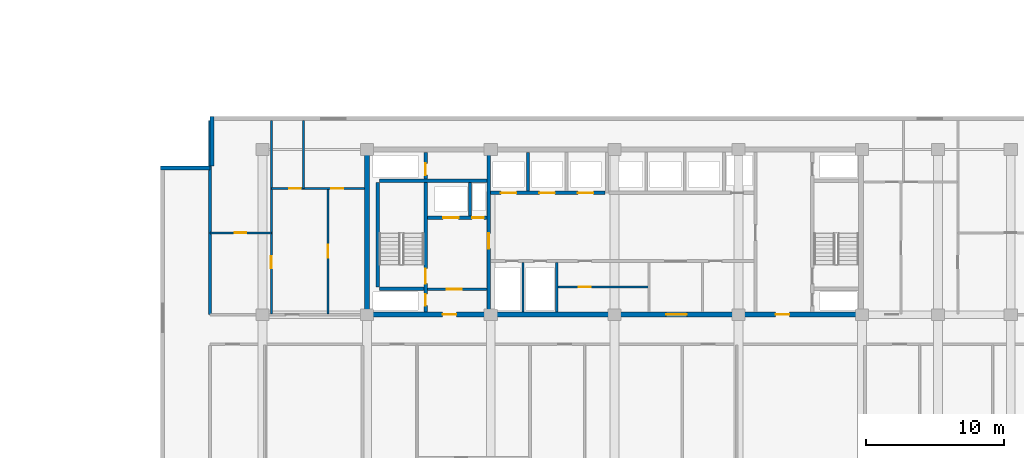
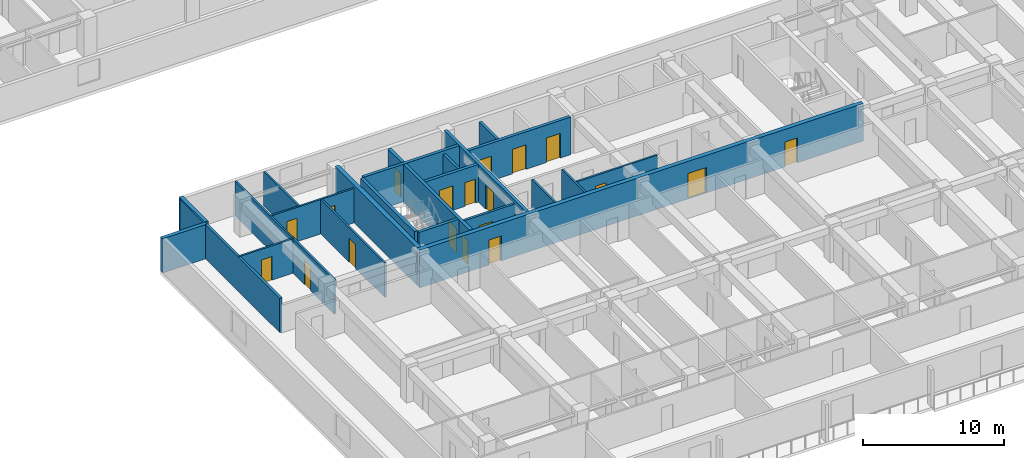
# One storey, part 6 of 23: 23 walls, 19 doors, 19 openings.
"""IFC4 building model written with IfcOpenShell, lengths in metres."""

import ifcopenshell
import ifcopenshell.guid

model = None  # the IFC model being written
_history = None  # IfcOwnerHistory: only IFC2X3 demands one
_inside = {}  # id of a spatial element -> (the spatial element, [elements in it])
_under = {}  # id of a project, library or spatial element -> (it, [spatial elements below it])
_declared = {}  # id of a project -> (the project, [libraries it declares])
_typed = {}  # id of a type object -> (the type object, [elements of that type])
_made_of = {}  # id of a material, layer set ... -> (it, [elements and type objects made of it])


def new_model(schema):
    """Start an empty IFC model of exactly this schema.

    Asked for "IFC4X3", IfcOpenShell would pick the latest addendum, in which some entities
    have other attributes; the version numbers below select the first issue.
    IFC2X3 requires an IfcOwnerHistory on every rooted entity: one is made here for all.
    """
    global model, _history
    if schema == "IFC4X3":
        model = ifcopenshell.file(schema_version=(4, 3, 0, 0))
    else:
        model = ifcopenshell.file(schema=schema)
    _inside.clear()
    _under.clear()
    _declared.clear()
    _typed.clear()
    _made_of.clear()
    _history = None
    if model.schema == "IFC2X3":
        org = make("IfcOrganization", Name="unknown")
        user = make(
            "IfcPersonAndOrganization",
            ThePerson=make("IfcPerson", FamilyName="unknown"),
            TheOrganization=org,
        )
        app = make(
            "IfcApplication",
            ApplicationDeveloper=org,
            Version="unknown",
            ApplicationFullName="unknown",
            ApplicationIdentifier="unknown",
        )
        _history = make(
            "IfcOwnerHistory",
            OwningUser=user,
            OwningApplication=app,
            ChangeAction="ADDED",
            CreationDate=0,
        )
    return model


def make(cls, **values):
    """One entity of the class cls with the attributes given. An attribute that is None is left unset."""
    return model.create_entity(
        cls, **{name: value for name, value in values.items() if value is not None}
    )


def rooted(cls, **values):
    """An entity with a GlobalId (a new one), such as an element, a storey or a relation."""
    return make(cls, GlobalId=ifcopenshell.guid.new(), OwnerHistory=_history, **values)


def si_unit(unit_type, name, prefix=None):
    """IfcSIUnit, for example si_unit("LENGTHUNIT", "METRE", prefix="MILLI")."""
    return make("IfcSIUnit", UnitType=unit_type, Prefix=prefix, Name=name)


def assignment(units):
    """IfcUnitAssignment: the units of a project."""
    return None if units is None else make("IfcUnitAssignment", Units=units)


def point(xyz):
    """IfcCartesianPoint."""
    return None if xyz is None else make("IfcCartesianPoint", Coordinates=xyz)


def direction(xyz):
    """IfcDirection."""
    return None if xyz is None else make("IfcDirection", DirectionRatios=xyz)


def frame(location, z_axis=None, x_axis=None):
    """IfcAxis2Placement3D, a coordinate frame: its origin and axes. An axis left out is left unset."""
    return make(
        "IfcAxis2Placement3D",
        Location=point(location),
        Axis=direction(z_axis),
        RefDirection=direction(x_axis),
    )


def frame_2d(location, x_axis=None):
    """IfcAxis2Placement2D, a coordinate frame in the plane: its origin and x axis."""
    return make(
        "IfcAxis2Placement2D", Location=point(location), RefDirection=direction(x_axis)
    )


def origin():
    """The frame at (0, 0, 0) with its axes left unset."""
    return frame((0.0, 0.0, 0.0))


def place(relative_to, where):
    """IfcLocalPlacement: puts the frame where relative to a parent placement (None: the world)."""
    return make(
        "IfcLocalPlacement", PlacementRelTo=relative_to, RelativePlacement=where
    )


def context(
    kind, dimensions, precision=None, world=None, true_north=None, identifier=None
):
    """IfcGeometricRepresentationContext, for example the 3D "Model" context."""
    return make(
        "IfcGeometricRepresentationContext",
        ContextIdentifier=identifier,
        ContextType=kind,
        CoordinateSpaceDimension=dimensions,
        Precision=precision,
        WorldCoordinateSystem=world,
        TrueNorth=true_north,
    )


def subcontext(parent, identifier, kind, view, scale=None):
    """IfcGeometricRepresentationSubContext, for example "Body" below "Model"."""
    return make(
        "IfcGeometricRepresentationSubContext",
        ContextIdentifier=identifier,
        ContextType=kind,
        ParentContext=parent,
        TargetScale=scale,
        TargetView=view,
    )


def project(units=None, contexts=None):
    """IfcProject with its units and contexts."""
    return rooted(
        "IfcProject",
        Name="project",
        RepresentationContexts=contexts,
        UnitsInContext=assignment(units),
    )


def spatial(cls, under=None, at=None, **own):
    """A site, building, storey or space (cls), placed at a placement, below another one or the project."""
    s = rooted(cls, ObjectPlacement=at, **own)
    if under is not None:
        _under.setdefault(under.id(), (under, []))[1].append(s)
    return s


def profile(cls, at=None, kind="AREA", **sizes):
    """A parametric profile (cls). Its sizes go by their IFC names, for example OverallWidth=200.0."""
    return make(cls, ProfileType=kind, Position=at, **sizes)


def rectangle(**sizes):
    """IfcRectangleProfileDef."""
    return profile("IfcRectangleProfileDef", **sizes)


def extrude(swept, where, along, depth):
    """IfcExtrudedAreaSolid: the profile swept, set in the frame where, extruded along a direction by depth."""
    return make(
        "IfcExtrudedAreaSolid",
        SweptArea=swept,
        Position=where,
        ExtrudedDirection=direction(along),
        Depth=depth,
    )


def shape(context_of_items, identifier, shape_type, items):
    """IfcShapeRepresentation: the items that make up one representation, for example the "Body"."""
    return make(
        "IfcShapeRepresentation",
        ContextOfItems=context_of_items,
        RepresentationIdentifier=identifier,
        RepresentationType=shape_type,
        Items=items,
    )


def material(Name=None, Category=None):
    """IfcMaterial."""
    return make("IfcMaterial", Name=Name, Category=Category)


def layer(
    of_material, thickness, ventilated=None, Name=None, Category=None, Priority=None
):
    """IfcMaterialLayer: one layer of a wall or slab, of a material (None: an air gap)."""
    return make(
        "IfcMaterialLayer",
        Material=of_material,
        LayerThickness=thickness,
        IsVentilated=ventilated,
        Name=Name,
        Category=Category,
        Priority=Priority,
    )


def layer_set(layers, Name=None):
    """IfcMaterialLayerSet."""
    return make("IfcMaterialLayerSet", MaterialLayers=layers, LayerSetName=Name)


def made_of(thing, what):
    """Note that an element or type object is made of a material, layer set ...; save() writes the relation."""
    if what is not None:
        _made_of.setdefault(what.id(), (what, []))[1].append(thing)
    return thing


def type_object(cls, material=None, **own):
    """A type object (cls), such as IfcWallType, which elements share."""
    return made_of(rooted(cls, **own), material)


def element(
    cls,
    number,
    at=None,
    inside=None,
    cuts=None,
    type_object=None,
    material=None,
    context=None,
    identifier="Body",
    shape_type=None,
    held_by="IfcProductDefinitionShape",
    body=None,
    shapes=None,
    **own,
):
    """One element of the class cls, such as IfcWall. Its Tag is "e" and its number.

    at: its placement. inside: the storey or other place that contains it. cuts: it is an
    opening in that element (IfcRelVoidsElement). A single representation is given by context,
    identifier, shape_type and body (its items); several are given by shapes. held_by: the class
    of the entity that holds the representations. save() writes the other relations.
    """
    e = rooted(cls, Tag="e%d" % number, ObjectPlacement=at, **own)
    if body is not None:
        shapes = [shape(context, identifier, shape_type, body)]
    if shapes is not None:
        e.Representation = make(held_by, Representations=shapes)
    if inside is not None:
        _inside.setdefault(inside.id(), (inside, []))[1].append(e)
    if cuts is not None:
        rooted(
            "IfcRelVoidsElement", RelatingBuildingElement=cuts, RelatedOpeningElement=e
        )
    if type_object is not None:
        _typed.setdefault(type_object.id(), (type_object, []))[1].append(e)
    return made_of(e, material)


def fill(opening, filler):
    """IfcRelFillsElement: the door or window that sits in an opening."""
    return rooted(
        "IfcRelFillsElement",
        RelatingOpeningElement=opening,
        RelatedBuildingElement=filler,
    )


def aggregate(whole, parts):
    """IfcRelAggregates: a whole, such as a stair, and the parts it consists of."""
    return rooted("IfcRelAggregates", RelatingObject=whole, RelatedObjects=parts)


def save(model, path):
    """Write the relations noted so far, then the file.

    IfcRelAggregates (storeys below a building ...), IfcRelContainedInSpatialStructure (elements
    in a storey), IfcRelDefinesByType, IfcRelAssociatesMaterial and IfcRelDeclares: one each for
    every whole, place, type object, material and project.
    """
    for whole, parts in _under.values():
        aggregate(whole, parts)
    for where, things in _inside.values():
        rooted(
            "IfcRelContainedInSpatialStructure",
            RelatedElements=things,
            RelatingStructure=where,
        )
    for kind, things in _typed.values():
        rooted("IfcRelDefinesByType", RelatedObjects=things, RelatingType=kind)
    for what, things in _made_of.values():
        rooted("IfcRelAssociatesMaterial", RelatedObjects=things, RelatingMaterial=what)
    for by, libraries in _declared.values():
        rooted("IfcRelDeclares", RelatingContext=by, RelatedDefinitions=libraries)
    model.write(path)


model = new_model("IFC4")

# Units and contexts
model_context = context("Model", 3, precision=1e-05, world=origin(), true_north=direction((0.0, 1.0)))
body_context = subcontext(model_context, "Body", "Model", "MODEL_VIEW")
ifc_project = project(units=[si_unit("LENGTHUNIT", "METRE"), si_unit("AREAUNIT", "SQUARE_METRE"), si_unit("VOLUMEUNIT", "CUBIC_METRE"), si_unit("PLANEANGLEUNIT", "RADIAN"), si_unit("MASSUNIT", "GRAM", prefix="KILO")], contexts=[model_context])

# Site, building, storey
site_placement = place(None, origin())
site = spatial("IfcSite", under=ifc_project, at=site_placement, CompositionType="ELEMENT")
building_placement = place(site_placement, origin())
building = spatial("IfcBuilding", under=site, at=building_placement, Name="Korimba Cascade Residences", CompositionType="ELEMENT")
storey_placement = place(building_placement, frame((0.0, 0.0, 30.5)))
storey = spatial("IfcBuildingStorey", under=building, at=storey_placement, Name="L07", CompositionType="ELEMENT", Elevation=30.5)

# Walls
ifc_material_1 = material(Name="Precast concrete C40/50", Category="concrete")
ifc_layer_1 = layer(ifc_material_1, 0.300048828125)
ifc_layer_set_1 = layer_set([ifc_layer_1], Name="Precast concrete C40/50")
wall_type_1 = type_object("IfcWallType", Name="EW-STONE-300", PredefinedType="STANDARD", material=ifc_layer_set_1)
wall_1_placement = place(storey_placement, frame((70.85009765625, 32.800048828125, 0.0), z_axis=(0.0, 0.0, 1.0), x_axis=(0.0, -1.0, 0.0)))
element("IfcWall", 1, at=wall_1_placement, inside=storey, type_object=wall_type_1, Name="L07 T2 Perimeter Stone Wall E07", PredefinedType="STANDARD", context=body_context, shape_type="SweptSolid", body=[
    extrude(rectangle(XDim=3.60009765625, YDim=0.300048828125, at=frame_2d((1.800048828125, 0.0))), origin(), (0.0, 0.0, 1.0), 2.969970703125),
])
wall_2_placement = place(storey_placement, frame((70.699951171875, 29.050048828125, 0.0), z_axis=(0.0, 0.0, 1.0), x_axis=(-1.0, 0.0, 0.0)))
element("IfcWall", 2, at=wall_2_placement, inside=storey, type_object=wall_type_1, Name="L07 T2 Perimeter Stone Wall E08", PredefinedType="STANDARD", context=body_context, shape_type="SweptSolid", body=[
    extrude(rectangle(XDim=3.599853515625, YDim=0.300048828125, at=frame_2d((1.7998046875, 0.0))), origin(), (0.0, 0.0, 1.0), 2.969970703125),
])
ifc_material_2 = material(Name="Concrete C65/80", Category="concrete")
ifc_layer_2 = layer(ifc_material_2, 0.35009765625)
ifc_layer_set_2 = layer_set([ifc_layer_2], Name="Concrete C65/80")
wall_type_2 = type_object("IfcWallType", Name="WAL-CORE-350", PredefinedType="SHEAR", material=ifc_layer_set_2)
wall_3_placement = place(storey_placement, frame((82.10009765625, 18.574951171875, 0.0), z_axis=(0.0, 0.0, 1.0), x_axis=(0.0, 1.0, 0.0)))
element("IfcWall", 3, at=wall_3_placement, inside=storey, type_object=wall_type_2, Name="L07 Core Shear Wall CW-L07-T2-W", PredefinedType="SHEAR", context=body_context, shape_type="SweptSolid", body=[
    extrude(rectangle(XDim=11.650146484375, YDim=0.35009765625, at=frame_2d((5.8251953125, 0.0))), origin(), (0.0, 0.0, 1.0), 3.25),
])

# Wall, openings, doors
wall_4_placement = place(storey_placement, frame((81.925048828125, 18.39990234375, 0.0), z_axis=(0.0, 0.0, 1.0), x_axis=(1.0, 0.0, 0.0)))
wall_4 = element("IfcWall", 4, at=wall_4_placement, inside=storey, type_object=wall_type_2, Name="L07 Core Shear Wall CW-L07-T2-S", PredefinedType="SHEAR", context=body_context, shape_type="SweptSolid", body=[
    extrude(rectangle(XDim=36.264892578125, YDim=0.35009765625, at=frame_2d((18.13232421875, 0.0))), origin(), (0.0, 0.0, 1.0), 3.25),
])
opening_1_placement = place(wall_4_placement, frame((5.675048828125, 0.0, 0.0)))
opening_1 = element("IfcOpeningElement", 5, at=opening_1_placement, cuts=wall_4, Name="Opening D-FD5", PredefinedType="OPENING", context=body_context, shape_type="SweptSolid", body=[
    extrude(rectangle(XDim=1.0, YDim=2.14990234375, at=frame_2d((0.5, 1.074951171875))), frame((0.0, 0.18505859375, 0.0), z_axis=(0.0, -1.0, 0.0), x_axis=(1.0, 0.0, 0.0)), (0.0, 0.0, 1.0), 0.3701171875),
])
opening_2_placement = place(wall_4_placement, frame((21.925048828125, 0.0, 0.0)))
opening_2 = element("IfcOpeningElement", 6, at=opening_2_placement, cuts=wall_4, Name="Opening D-FD8", PredefinedType="OPENING", context=body_context, shape_type="SweptSolid", body=[
    extrude(rectangle(XDim=1.5, YDim=2.199951171875, at=frame_2d((0.75, 1.10009765625))), frame((0.0, 0.18505859375, 0.0), z_axis=(0.0, -1.0, 0.0), x_axis=(1.0, 0.0, 0.0)), (0.0, 0.0, 1.0), 0.3701171875),
])
opening_3_placement = place(wall_4_placement, frame((29.875, 0.0, 0.0)))
opening_3 = element("IfcOpeningElement", 7, at=opening_3_placement, cuts=wall_4, Name="Opening D-FD5", PredefinedType="OPENING", context=body_context, shape_type="SweptSolid", body=[
    extrude(rectangle(XDim=1.0, YDim=2.14990234375, at=frame_2d((0.5, 1.074951171875))), frame((0.0, 0.18505859375, 0.0), z_axis=(0.0, -1.0, 0.0), x_axis=(1.0, 0.0, 0.0)), (0.0, 0.0, 1.0), 0.3701171875),
])
ifc_material_3 = material(Name="Fire-Rated Acoustic Timber Vestibule Door", Category="wood")
door_type_1 = type_object("IfcDoorType", Name="DR-FD90-1000", OperationType="NOTDEFINED", PredefinedType="DOOR", material=ifc_material_3)
door_1_placement = place(opening_1_placement, origin())
door_1 = element("IfcDoor", 8, at=door_1_placement, inside=storey, type_object=door_type_1, Name="L07 T2 West Core Vestibule Fire Door", OperationType="SINGLE_SWING_RIGHT", OverallHeight=2.14990234375, OverallWidth=1.0, PredefinedType="DOOR", context=body_context, shape_type="SweptSolid", body=[
    extrude(rectangle(XDim=1.0, YDim=2.14990234375, at=frame_2d((0.5, 1.074951171875))), frame((0.0, 0.02490234375, 0.0), z_axis=(0.0, -1.0, 0.0), x_axis=(1.0, 0.0, 0.0)), (0.0, 0.0, 1.0), 0.050048828125),
])
fill(opening_1, door_1)
door_2_placement = place(opening_3_placement, origin())
door_2 = element("IfcDoor", 9, at=door_2_placement, inside=storey, type_object=door_type_1, Name="L07 T2 East Stair Vestibule Fire Door", OperationType="SINGLE_SWING_LEFT", OverallHeight=2.14990234375, OverallWidth=1.0, PredefinedType="DOOR", context=body_context, shape_type="SweptSolid", body=[
    extrude(rectangle(XDim=1.0, YDim=2.14990234375, at=frame_2d((0.5, 1.074951171875))), frame((0.0, 0.02490234375, 0.0), z_axis=(0.0, -1.0, 0.0), x_axis=(1.0, 0.0, 0.0)), (0.0, 0.0, 1.0), 0.050048828125),
])
fill(opening_3, door_2)
ifc_material_4 = material(Name="Fire-Rated Glazed Lift Lobby Double Door", Category="glass")
door_type_2 = type_object("IfcDoorType", Name="DR-FD90-1500", OperationType="NOTDEFINED", PredefinedType="DOOR", material=ifc_material_4)
door_3_placement = place(opening_2_placement, origin())
door_3 = element("IfcDoor", 10, at=door_3_placement, inside=storey, type_object=door_type_2, Name="L07 T2 Lift Lobby Fire Door", OperationType="DOUBLE_DOOR_SINGLE_SWING", OverallHeight=2.199951171875, OverallWidth=1.5, PredefinedType="DOOR", context=body_context, shape_type="SweptSolid", body=[
    extrude(rectangle(XDim=1.5, YDim=2.199951171875, at=frame_2d((0.75, 1.10009765625))), frame((0.0, 0.02490234375, 0.0), z_axis=(0.0, -1.0, 0.0), x_axis=(1.0, 0.0, 0.0)), (0.0, 0.0, 1.0), 0.050048828125),
])
fill(opening_2, door_3)

# Walls
ifc_layer_3 = layer(ifc_material_1, 0.199951171875)
ifc_layer_set_3 = layer_set([ifc_layer_3], Name="Precast concrete C40/50")
wall_type_3 = type_object("IfcWallType", Name="WAL-IT-200", PredefinedType="PARTITIONING", material=ifc_layer_set_3)
wall_5_placement = place(storey_placement, frame((70.699951171875, 18.39990234375, 0.0), z_axis=(0.0, 0.0, 1.0), x_axis=(0.0, 1.0, 0.0)))
element("IfcWall", 11, at=wall_5_placement, inside=storey, type_object=wall_type_3, Name="L07 Partition Wall WAL-L07-T2-FW-WL", PredefinedType="PARTITIONING", context=body_context, shape_type="SweptSolid", body=[
    extrude(rectangle(XDim=14.10009765625, YDim=0.199951171875, at=frame_2d((7.050048828125, 0.0))), origin(), (0.0, 0.0, 1.0), 2.969970703125),
])
ifc_material_5 = material(Name="Insulated Acoustic Stud Partition", Category="gypsum")
ifc_layer_4 = layer(ifc_material_5, 0.14990234375)
ifc_layer_set_4 = layer_set([ifc_layer_4], Name="Insulated Acoustic Stud Partition")
wall_type_4 = type_object("IfcWallType", Name="WAL-PART-150", PredefinedType="PARTITIONING", material=ifc_layer_set_4)
for number, where, z_axis, x_axis, name in (
    (12, (93.449951171875, 18.60009765625, 0.0), (0.0, 0.0, 1.0), (0.0, 1.0, 0.0), "L07 Partition Wall CW-L07-T2-ERDIV"),
    (13, (95.89990234375, 18.60009765625, 0.0), (0.0, 0.0, 1.0), (0.0, 1.0, 0.0), "L07 Partition Wall CW-L07-T2-PRDIV"),
):
    element("IfcWall", number, at=place(storey_placement, frame(where, z_axis=z_axis, x_axis=x_axis)), inside=storey, type_object=wall_type_4, Name=name, PredefinedType="PARTITIONING", context=body_context, shape_type="SweptSolid", body=[
        extrude(rectangle(XDim=3.599853515625, YDim=0.14990234375, at=frame_2d((1.7998046875, 0.0))), origin(), (0.0, 0.0, 1.0), 2.969970703125),
    ])

# Wall, opening, door
wall_6_placement = place(storey_placement, frame((95.89990234375, 20.39990234375, 0.0), z_axis=(0.0, 0.0, 1.0), x_axis=(1.0, 0.0, 0.0)))
wall_6 = element("IfcWall", 14, at=wall_6_placement, inside=storey, type_object=wall_type_4, Name="L07 Partition Wall CW-L07-T2-CA2HZ", PredefinedType="PARTITIONING", context=body_context, shape_type="SweptSolid", body=[
    extrude(rectangle(XDim=6.7001953125, YDim=0.14990234375, at=frame_2d((3.35009765625, 0.0))), origin(), (0.0, 0.0, 1.0), 2.969970703125),
])
opening_4_placement = place(wall_6_placement, frame((1.60009765625, 0.0, 0.0)))
opening_4 = element("IfcOpeningElement", 15, at=opening_4_placement, cuts=wall_6, Name="Opening D-IN2", PredefinedType="OPENING", context=body_context, shape_type="SweptSolid", body=[
    extrude(rectangle(XDim=0.8798828125, YDim=2.06005859375, at=frame_2d((0.43994140625, 1.030029296875))), frame((0.0, 0.0849609375, 0.0), z_axis=(0.0, -1.0, 0.0), x_axis=(1.0, 0.0, 0.0)), (0.0, 0.0, 1.0), 0.169921875),
])
ifc_material_6 = material(Name="Acoustic Timber Bedroom Door", Category="wood")
door_type_3 = type_object("IfcDoorType", Name="DR-INT-880", OperationType="NOTDEFINED", PredefinedType="DOOR", material=ifc_material_6)
door_4_placement = place(opening_4_placement, origin())
door_4 = element("IfcDoor", 16, at=door_4_placement, inside=storey, type_object=door_type_3, Name="L07 T2 Pram Store Door", OperationType="SINGLE_SWING_LEFT", OverallHeight=2.06005859375, OverallWidth=0.8798828125, PredefinedType="DOOR", context=body_context, shape_type="SweptSolid", body=[
    extrude(rectangle(XDim=0.8798828125, YDim=2.06005859375, at=frame_2d((0.43994140625, 1.030029296875))), frame((0.0, 0.02490234375, 0.0), z_axis=(0.0, -1.0, 0.0), x_axis=(1.0, 0.0, 0.0)), (0.0, 0.0, 1.0), 0.050048828125),
])
fill(opening_4, door_4)

wall_7_placement = place(storey_placement, frame((70.699951171875, 24.35009765625, 0.0), z_axis=(0.0, 0.0, 1.0), x_axis=(1.0, 0.0, 0.0)))
wall_7 = element("IfcWall", 17, at=wall_7_placement, inside=storey, type_object=wall_type_4, Name="L07 Partition Wall WAL-L07-T2-FW-STH", PredefinedType="PARTITIONING", context=body_context, shape_type="SweptSolid", body=[
    extrude(rectangle(XDim=4.449951171875, YDim=0.14990234375, at=frame_2d((2.22509765625, 0.0))), origin(), (0.0, 0.0, 1.0), 2.969970703125),
])
opening_5_placement = place(wall_7_placement, frame((1.804931640625, 0.0, 0.0)))
opening_5 = element("IfcOpeningElement", 18, at=opening_5_placement, cuts=wall_7, Name="Opening D-BT1", PredefinedType="OPENING", context=body_context, shape_type="SweptSolid", body=[
    extrude(rectangle(XDim=0.840087890625, YDim=2.0400390625, at=frame_2d((0.419921875, 1.02001953125))), frame((0.0, 0.0849609375, 0.0), z_axis=(0.0, -1.0, 0.0), x_axis=(1.0, 0.0, 0.0)), (0.0, 0.0, 1.0), 0.169921875),
])
ifc_material_7 = material(Name="Moisture-Resistant Bathroom Timber Door", Category="wood")
door_type_4 = type_object("IfcDoorType", Name="DR-INT-850", OperationType="NOTDEFINED", PredefinedType="DOOR", material=ifc_material_7)
door_5_placement = place(opening_5_placement, origin())
door_5 = element("IfcDoor", 19, at=door_5_placement, inside=storey, type_object=door_type_4, Name="L07-T2-FW Dressing Store Door", OperationType="SINGLE_SWING_RIGHT", OverallHeight=2.0400390625, OverallWidth=0.840087890625, PredefinedType="DOOR", context=body_context, shape_type="SweptSolid", body=[
    extrude(rectangle(XDim=0.840087890625, YDim=2.0400390625, at=frame_2d((0.419921875, 1.02001953125))), frame((0.0, 0.02490234375, 0.0), z_axis=(0.0, -1.0, 0.0), x_axis=(1.0, 0.0, 0.0)), (0.0, 0.0, 1.0), 0.050048828125),
])
fill(opening_5, door_5)

wall_8_placement = place(storey_placement, frame((75.14990234375, 18.449951171875, 0.0), z_axis=(0.0, 0.0, 1.0), x_axis=(0.0, 1.0, 0.0)))
wall_8 = element("IfcWall", 20, at=wall_8_placement, inside=storey, type_object=wall_type_4, Name="L07 Partition Wall WAL-L07-T2-FW-STV", PredefinedType="PARTITIONING", context=body_context, shape_type="SweptSolid", body=[
    extrude(rectangle(XDim=14.050048828125, YDim=0.14990234375, at=frame_2d((7.02490234375, 0.0))), origin(), (0.0, 0.0, 1.0), 2.969970703125),
])
opening_6_placement = place(wall_8_placement, frame((3.320068359375, 0.0, 0.0)))
opening_6 = element("IfcOpeningElement", 21, at=opening_6_placement, cuts=wall_8, Name="Opening D-IN2", PredefinedType="OPENING", context=body_context, shape_type="SweptSolid", body=[
    extrude(rectangle(XDim=0.8798828125, YDim=2.06005859375, at=frame_2d((0.43994140625, 1.030029296875))), frame((0.0, 0.0849609375, 0.0), z_axis=(0.0, -1.0, 0.0), x_axis=(1.0, 0.0, 0.0)), (0.0, 0.0, 1.0), 0.169921875),
])
door_6_placement = place(opening_6_placement, origin())
door_6 = element("IfcDoor", 22, at=door_6_placement, inside=storey, type_object=door_type_3, Name="L07-T2-FW Study Door", OperationType="SINGLE_SWING_LEFT", OverallHeight=2.06005859375, OverallWidth=0.8798828125, PredefinedType="DOOR", context=body_context, shape_type="SweptSolid", body=[
    extrude(rectangle(XDim=0.8798828125, YDim=2.06005859375, at=frame_2d((0.43994140625, 1.030029296875))), frame((0.0, 0.02490234375, 0.0), z_axis=(0.0, -1.0, 0.0), x_axis=(1.0, 0.0, 0.0)), (0.0, 0.0, 1.0), 0.050048828125),
])
fill(opening_6, door_6)

wall_9_placement = place(storey_placement, frame((79.27001953125, 18.449951171875, 0.0), z_axis=(0.0, 0.0, 1.0), x_axis=(0.0, 1.0, 0.0)))
wall_9 = element("IfcWall", 23, at=wall_9_placement, inside=storey, type_object=wall_type_4, Name="L07 Partition Wall WAL-L07-T2-FW-VS", PredefinedType="PARTITIONING", context=body_context, shape_type="SweptSolid", body=[
    extrude(rectangle(XDim=9.1201171875, YDim=0.14990234375, at=frame_2d((4.56005859375, 0.0))), origin(), (0.0, 0.0, 1.0), 2.969970703125),
])
opening_7_placement = place(wall_9_placement, frame((4.10009765625, 0.0, 0.0)))
opening_7 = element("IfcOpeningElement", 24, at=opening_7_placement, cuts=wall_9, Name="Opening D-IN1", PredefinedType="OPENING", context=body_context, shape_type="SweptSolid", body=[
    extrude(rectangle(XDim=0.919921875, YDim=2.080078125, at=frame_2d((0.4599609375, 1.0400390625))), frame((0.0, 0.0849609375, 0.0), z_axis=(0.0, -1.0, 0.0), x_axis=(1.0, 0.0, 0.0)), (0.0, 0.0, 1.0), 0.169921875),
])
ifc_material_8 = material(Name="Acoustic Timber Living Door", Category="wood")
door_type_5 = type_object("IfcDoorType", Name="DR-INT-920", OperationType="NOTDEFINED", PredefinedType="DOOR", material=ifc_material_8)
door_7_placement = place(opening_7_placement, origin())
door_7 = element("IfcDoor", 25, at=door_7_placement, inside=storey, type_object=door_type_5, Name="L07-T2-FW Living Door", OperationType="SINGLE_SWING_RIGHT", OverallHeight=2.080078125, OverallWidth=0.919921875, PredefinedType="DOOR", context=body_context, shape_type="SweptSolid", body=[
    extrude(rectangle(XDim=0.919921875, YDim=2.080078125, at=frame_2d((0.4599609375, 1.0400390625))), frame((0.0, 0.02490234375, 0.0), z_axis=(0.0, -1.0, 0.0), x_axis=(1.0, 0.0, 0.0)), (0.0, 0.0, 1.0), 0.050048828125),
])
fill(opening_7, door_7)

# Wall
wall_10_placement = place(storey_placement, frame((77.5, 27.570068359375, 0.0), z_axis=(0.0, 0.0, 1.0), x_axis=(0.0, 1.0, 0.0)))
element("IfcWall", 26, at=wall_10_placement, inside=storey, type_object=wall_type_4, Name="L07 Partition Wall WAL-L07-T2-FW-VN", PredefinedType="PARTITIONING", context=body_context, shape_type="SweptSolid", body=[
    extrude(rectangle(XDim=4.929931640625, YDim=0.14990234375, at=frame_2d((2.46484375, 0.0))), origin(), (0.0, 0.0, 1.0), 2.969970703125),
])

# Wall, openings, doors
wall_11_placement = place(storey_placement, frame((75.169921875, 27.570068359375, 0.0), z_axis=(0.0, 0.0, 1.0), x_axis=(1.0, 0.0, 0.0)))
wall_11 = element("IfcWall", 27, at=wall_11_placement, inside=storey, type_object=wall_type_4, Name="L07 Partition Wall WAL-L07-T2-FW-H", PredefinedType="PARTITIONING", context=body_context, shape_type="SweptSolid", body=[
    extrude(rectangle(XDim=6.760009765625, YDim=0.14990234375, at=frame_2d((3.3798828125, 0.0))), origin(), (0.0, 0.0, 1.0), 2.969970703125),
])
opening_8_placement = place(wall_11_placement, frame((1.266357421875, 0.0, 0.0)))
opening_8 = element("IfcOpeningElement", 28, at=opening_8_placement, cuts=wall_11, Name="Opening D-BT1", PredefinedType="OPENING", context=body_context, shape_type="SweptSolid", body=[
    extrude(rectangle(XDim=0.840087890625, YDim=2.0400390625, at=frame_2d((0.419921875, 1.02001953125))), frame((0.0, 0.0849609375, 0.0), z_axis=(0.0, -1.0, 0.0), x_axis=(1.0, 0.0, 0.0)), (0.0, 0.0, 1.0), 0.169921875),
])
opening_9_placement = place(wall_11_placement, frame((4.320068359375, 0.0, 0.0)))
opening_9 = element("IfcOpeningElement", 29, at=opening_9_placement, cuts=wall_11, Name="Opening D-IN2", PredefinedType="OPENING", context=body_context, shape_type="SweptSolid", body=[
    extrude(rectangle(XDim=0.8798828125, YDim=2.06005859375, at=frame_2d((0.43994140625, 1.030029296875))), frame((0.0, 0.0849609375, 0.0), z_axis=(0.0, -1.0, 0.0), x_axis=(1.0, 0.0, 0.0)), (0.0, 0.0, 1.0), 0.169921875),
])
door_8_placement = place(opening_8_placement, origin())
door_8 = element("IfcDoor", 30, at=door_8_placement, inside=storey, type_object=door_type_4, Name="L07-T2-FW Bathroom Door", OperationType="SINGLE_SWING_LEFT", OverallHeight=2.0400390625, OverallWidth=0.840087890625, PredefinedType="DOOR", context=body_context, shape_type="SweptSolid", body=[
    extrude(rectangle(XDim=0.840087890625, YDim=2.0400390625, at=frame_2d((0.419921875, 1.02001953125))), frame((0.0, 0.02490234375, 0.0), z_axis=(0.0, -1.0, 0.0), x_axis=(1.0, 0.0, 0.0)), (0.0, 0.0, 1.0), 0.050048828125),
])
fill(opening_8, door_8)
door_9_placement = place(opening_9_placement, origin())
door_9 = element("IfcDoor", 31, at=door_9_placement, inside=storey, type_object=door_type_3, Name="L07-T2-FW Bedroom Door", OperationType="SINGLE_SWING_RIGHT", OverallHeight=2.06005859375, OverallWidth=0.8798828125, PredefinedType="DOOR", context=body_context, shape_type="SweptSolid", body=[
    extrude(rectangle(XDim=0.8798828125, YDim=2.06005859375, at=frame_2d((0.43994140625, 1.030029296875))), frame((0.0, 0.02490234375, 0.0), z_axis=(0.0, -1.0, 0.0), x_axis=(1.0, 0.0, 0.0)), (0.0, 0.0, 1.0), 0.050048828125),
])
fill(opening_9, door_9)

# Wall
ifc_material_9 = material(Name="Concrete C40/50", Category="concrete")
ifc_layer_5 = layer(ifc_material_9, 0.199951171875)
ifc_layer_set_5 = layer_set([ifc_layer_5], Name="Concrete C40/50")
wall_type_5 = type_object("IfcWallType", Name="WAL-PART-200", PredefinedType="PARTITIONING", material=ifc_layer_set_5)
wall_12_placement = place(storey_placement, frame((89.60009765625, 25.580078125, 0.0), z_axis=(0.0, 0.0, 1.0), x_axis=(0.0, 1.0, 0.0)))
element("IfcWall", 32, at=wall_12_placement, inside=storey, type_object=wall_type_5, Name="L07 Partition Wall CW-L07-T2-FFLDIV", PredefinedType="PARTITIONING", context=body_context, shape_type="SweptSolid", body=[
    extrude(rectangle(XDim=2.419921875, YDim=0.199951171875, at=frame_2d((1.2099609375, 0.0))), origin(), (0.0, 0.0, 1.0), 2.969970703125),
])

# Wall, opening, door
wall_13_placement = place(storey_placement, frame((86.5, 20.25, 0.0), z_axis=(0.0, 0.0, 1.0), x_axis=(1.0, 0.0, 0.0)))
wall_13 = element("IfcWall", 33, at=wall_13_placement, inside=storey, type_object=wall_type_5, Name="L07 Partition Wall CW-L07-T2-FFLS", PredefinedType="PARTITIONING", context=body_context, shape_type="SweptSolid", body=[
    extrude(rectangle(XDim=4.320068359375, YDim=0.199951171875, at=frame_2d((2.16015625, 0.0))), origin(), (0.0, 0.0, 1.0), 2.969970703125),
])
opening_10_placement = place(wall_13_placement, frame((1.39990234375, 0.0, 0.0)))
opening_10 = element("IfcOpeningElement", 34, at=opening_10_placement, cuts=wall_13, Name="Opening D-FD1", PredefinedType="OPENING", context=body_context, shape_type="SweptSolid", body=[
    extrude(rectangle(XDim=1.10009765625, YDim=2.10009765625, at=frame_2d((0.550048828125, 1.050048828125))), frame((0.0, 0.10986328125, 0.0), z_axis=(0.0, -1.0, 0.0), x_axis=(1.0, 0.0, 0.0)), (0.0, 0.0, 1.0), 0.219970703125),
])
ifc_material_10 = material(Name="Fire-Rated Steel Core Door", Category="steel")
door_type_6 = type_object("IfcDoorType", Name="DR-FD120-1100", OperationType="NOTDEFINED", PredefinedType="DOOR", material=ifc_material_10)
door_10_placement = place(opening_10_placement, origin())
door_10 = element("IfcDoor", 35, at=door_10_placement, inside=storey, type_object=door_type_6, Name="L07 T2 Firefighting Lobby Door", OperationType="SINGLE_SWING_RIGHT", OverallHeight=2.10009765625, OverallWidth=1.10009765625, PredefinedType="DOOR", context=body_context, shape_type="SweptSolid", body=[
    extrude(rectangle(XDim=1.10009765625, YDim=2.10009765625, at=frame_2d((0.550048828125, 1.050048828125))), frame((0.0, 0.02490234375, 0.0), z_axis=(0.0, -1.0, 0.0), x_axis=(1.0, 0.0, 0.0)), (0.0, 0.0, 1.0), 0.050048828125),
])
fill(opening_10, door_10)

# Walls
wall_14_placement = place(storey_placement, frame((93.800048828125, 27.3798828125, 0.0), z_axis=(0.0, 0.0, 1.0), x_axis=(0.0, 1.0, 0.0)))
element("IfcWall", 36, at=wall_14_placement, inside=storey, type_object=wall_type_5, Name="L07 Partition Wall CW-L07-T2-B1D1", PredefinedType="PARTITIONING", context=body_context, shape_type="SweptSolid", body=[
    extrude(rectangle(XDim=2.820068359375, YDim=0.199951171875, at=frame_2d((1.41015625, 0.0))), origin(), (0.0, 0.0, 1.0), 2.969970703125),
])
ifc_material_11 = material(Name="Concrete C50/60", Category="concrete")
ifc_layer_6 = layer(ifc_material_11, 0.25)
ifc_layer_set_6 = layer_set([ifc_layer_6], Name="Concrete C50/60")
wall_type_6 = type_object("IfcWallType", Name="WAL-SHAFT-250", PredefinedType="SHEAR", material=ifc_layer_set_6)
wall_15_placement = place(storey_placement, frame((82.875, 20.39990234375, 0.0), z_axis=(0.0, 0.0, 1.0), x_axis=(0.0, 1.0, 0.0)))
element("IfcWall", 37, at=wall_15_placement, inside=storey, type_object=wall_type_6, Name="L07 Core Shear Wall CW-L07-T2-STE1W", PredefinedType="SHEAR", context=body_context, shape_type="SweptSolid", body=[
    extrude(rectangle(XDim=7.60009765625, YDim=0.25, at=frame_2d((3.800048828125, 0.0))), origin(), (0.0, 0.0, 1.0), 3.25),
])

# Wall, openings, doors
wall_16_placement = place(storey_placement, frame((86.364990234375, 18.60009765625, 0.0), z_axis=(0.0, 0.0, 1.0), x_axis=(0.0, 1.0, 0.0)))
wall_16 = element("IfcWall", 38, at=wall_16_placement, inside=storey, type_object=wall_type_6, Name="L07 Core Shear Wall CW-L07-T2-STE1E", PredefinedType="SHEAR", context=body_context, shape_type="SweptSolid", body=[
    extrude(rectangle(XDim=11.599853515625, YDim=0.25, at=frame_2d((5.7998046875, 0.0))), origin(), (0.0, 0.0, 1.0), 3.25),
])
opening_11_placement = place(wall_16_placement, frame((0.449951171875, 0.0, 0.0)))
opening_11 = element("IfcOpeningElement", 39, at=opening_11_placement, cuts=wall_16, Name="Opening D-RS1", PredefinedType="OPENING", context=body_context, shape_type="SweptSolid", body=[
    extrude(rectangle(XDim=0.85009765625, YDim=2.050048828125, at=frame_2d((0.425048828125, 1.02490234375))), frame((0.0, 0.135009765625, 0.0), z_axis=(0.0, -1.0, 0.0), x_axis=(1.0, 0.0, 0.0)), (0.0, 0.0, 1.0), 0.27001953125),
])
opening_12_placement = place(wall_16_placement, frame((2.050048828125, 0.0, 0.0)))
opening_12 = element("IfcOpeningElement", 40, at=opening_12_placement, cuts=wall_16, Name="Opening D-FD1", PredefinedType="OPENING", context=body_context, shape_type="SweptSolid", body=[
    extrude(rectangle(XDim=1.10009765625, YDim=2.10009765625, at=frame_2d((0.550048828125, 1.050048828125))), frame((0.0, 0.135009765625, 0.0), z_axis=(0.0, -1.0, 0.0), x_axis=(1.0, 0.0, 0.0)), (0.0, 0.0, 1.0), 0.27001953125),
])
opening_13_placement = place(wall_16_placement, frame((9.949951171875, 0.0, 0.0)))
opening_13 = element("IfcOpeningElement", 41, at=opening_13_placement, cuts=wall_16, Name="Opening D-RS1", PredefinedType="OPENING", context=body_context, shape_type="SweptSolid", body=[
    extrude(rectangle(XDim=0.85009765625, YDim=2.050048828125, at=frame_2d((0.425048828125, 1.02490234375))), frame((0.0, 0.135009765625, 0.0), z_axis=(0.0, -1.0, 0.0), x_axis=(1.0, 0.0, 0.0)), (0.0, 0.0, 1.0), 0.27001953125),
])
door_11_placement = place(opening_12_placement, origin())
door_11 = element("IfcDoor", 42, at=door_11_placement, inside=storey, type_object=door_type_6, Name="L07 Fire Stair ST-E1 Door", OperationType="SINGLE_SWING_LEFT", OverallHeight=2.10009765625, OverallWidth=1.10009765625, PredefinedType="DOOR", context=body_context, shape_type="SweptSolid", body=[
    extrude(rectangle(XDim=1.10009765625, YDim=2.10009765625, at=frame_2d((0.550048828125, 1.050048828125))), frame((0.0, 0.02490234375, 0.0), z_axis=(0.0, -1.0, 0.0), x_axis=(1.0, 0.0, 0.0)), (0.0, 0.0, 1.0), 0.050048828125),
])
fill(opening_12, door_11)
ifc_material_12 = material(Name="Fire-Rated Steel Riser Access Door", Category="steel")
door_type_7 = type_object("IfcDoorType", Name="DR-FD60-850", OperationType="NOTDEFINED", PredefinedType="DOOR", material=ifc_material_12)
door_12_placement = place(opening_11_placement, origin())
door_12 = element("IfcDoor", 43, at=door_12_placement, inside=storey, type_object=door_type_7, Name="L07 T2 Hydrant Riser Door", OperationType="SINGLE_SWING_RIGHT", OverallHeight=2.050048828125, OverallWidth=0.85009765625, PredefinedType="DOOR", context=body_context, shape_type="SweptSolid", body=[
    extrude(rectangle(XDim=0.85009765625, YDim=2.050048828125, at=frame_2d((0.425048828125, 1.02490234375))), frame((0.0, 0.02490234375, 0.0), z_axis=(0.0, -1.0, 0.0), x_axis=(1.0, 0.0, 0.0)), (0.0, 0.0, 1.0), 0.050048828125),
])
fill(opening_11, door_12)
door_13_placement = place(opening_13_placement, origin())
door_13 = element("IfcDoor", 44, at=door_13_placement, inside=storey, type_object=door_type_7, Name="L07 T2 Smoke Shaft Door", OperationType="SINGLE_SWING_RIGHT", OverallHeight=2.050048828125, OverallWidth=0.85009765625, PredefinedType="DOOR", context=body_context, shape_type="SweptSolid", body=[
    extrude(rectangle(XDim=0.85009765625, YDim=2.050048828125, at=frame_2d((0.425048828125, 1.02490234375))), frame((0.0, 0.02490234375, 0.0), z_axis=(0.0, -1.0, 0.0), x_axis=(1.0, 0.0, 0.0)), (0.0, 0.0, 1.0), 0.050048828125),
])
fill(opening_13, door_13)

# Walls
wall_17_placement = place(storey_placement, frame((83.0, 20.27490234375, 0.0), z_axis=(0.0, 0.0, 1.0), x_axis=(1.0, 0.0, 0.0)))
element("IfcWall", 45, at=wall_17_placement, inside=storey, type_object=wall_type_6, Name="L07 Core Shear Wall CW-L07-T2-STE1S", PredefinedType="SHEAR", context=body_context, shape_type="SweptSolid", body=[
    extrude(rectangle(XDim=3.239990234375, YDim=0.25, at=frame_2d((1.6201171875, 0.0))), origin(), (0.0, 0.0, 1.0), 3.25),
])
wall_18_placement = place(storey_placement, frame((83.0, 28.125, 0.0), z_axis=(0.0, 0.0, 1.0), x_axis=(1.0, 0.0, 0.0)))
element("IfcWall", 46, at=wall_18_placement, inside=storey, type_object=wall_type_6, Name="L07 Core Shear Wall CW-L07-T2-STE1N", PredefinedType="SHEAR", context=body_context, shape_type="SweptSolid", body=[
    extrude(rectangle(XDim=7.820068359375, YDim=0.25, at=frame_2d((3.91015625, 0.0))), origin(), (0.0, 0.0, 1.0), 3.25),
])

# Wall, openings, doors
wall_19_placement = place(storey_placement, frame((86.5, 25.449951171875, 0.0), z_axis=(0.0, 0.0, 1.0), x_axis=(1.0, 0.0, 0.0)))
wall_19 = element("IfcWall", 47, at=wall_19_placement, inside=storey, type_object=wall_type_6, Name="L07 Core Shear Wall CW-L07-T2-FFLN", PredefinedType="SHEAR", context=body_context, shape_type="SweptSolid", body=[
    extrude(rectangle(XDim=4.320068359375, YDim=0.25, at=frame_2d((2.16015625, 0.0))), origin(), (0.0, 0.0, 1.0), 3.25),
])
opening_14_placement = place(wall_19_placement, frame((1.139892578125, 0.0, 0.0)))
opening_14 = element("IfcOpeningElement", 48, at=opening_14_placement, cuts=wall_19, Name="Opening LD-01", PredefinedType="OPENING", context=body_context, shape_type="SweptSolid", body=[
    extrude(rectangle(XDim=1.1201171875, YDim=2.1201171875, at=frame_2d((0.56005859375, 1.06005859375))), frame((0.0, 0.135009765625, 0.0), z_axis=(0.0, -1.0, 0.0), x_axis=(1.0, 0.0, 0.0)), (0.0, 0.0, 1.0), 0.27001953125),
])
opening_15_placement = place(wall_19_placement, frame((3.25, 0.0, 0.0)))
opening_15 = element("IfcOpeningElement", 49, at=opening_15_placement, cuts=wall_19, Name="Opening D-RS1", PredefinedType="OPENING", context=body_context, shape_type="SweptSolid", body=[
    extrude(rectangle(XDim=0.85009765625, YDim=2.050048828125, at=frame_2d((0.425048828125, 1.02490234375))), frame((0.0, 0.135009765625, 0.0), z_axis=(0.0, -1.0, 0.0), x_axis=(1.0, 0.0, 0.0)), (0.0, 0.0, 1.0), 0.27001953125),
])
door_14_placement = place(opening_15_placement, origin())
door_14 = element("IfcDoor", 50, at=door_14_placement, inside=storey, type_object=door_type_7, Name="L07 T2 Pressurisation Riser Door", OperationType="SINGLE_SWING_LEFT", OverallHeight=2.050048828125, OverallWidth=0.85009765625, PredefinedType="DOOR", context=body_context, shape_type="SweptSolid", body=[
    extrude(rectangle(XDim=0.85009765625, YDim=2.050048828125, at=frame_2d((0.425048828125, 1.02490234375))), frame((0.0, 0.02490234375, 0.0), z_axis=(0.0, -1.0, 0.0), x_axis=(1.0, 0.0, 0.0)), (0.0, 0.0, 1.0), 0.050048828125),
])
fill(opening_15, door_14)
ifc_material_13 = material(Name="Stainless Steel Lift Landing Sliding Door", Category="steel")
door_type_8 = type_object("IfcDoorType", Name="DR-LIFT-1100", OperationType="NOTDEFINED", PredefinedType="DOOR", material=ifc_material_13)
door_15_placement = place(opening_14_placement, origin())
door_15 = element("IfcDoor", 51, at=door_15_placement, inside=storey, type_object=door_type_8, Name="L07 Firefighting Lift Landing Door FFL-E1", OperationType="SLIDING_TO_RIGHT", OverallHeight=2.1201171875, OverallWidth=1.1201171875, PredefinedType="DOOR", context=body_context, shape_type="SweptSolid", body=[
    extrude(rectangle(XDim=1.1201171875, YDim=2.1201171875, at=frame_2d((0.56005859375, 1.06005859375))), frame((0.0, 0.02490234375, 0.0), z_axis=(0.0, -1.0, 0.0), x_axis=(1.0, 0.0, 0.0)), (0.0, 0.0, 1.0), 0.050048828125),
])
fill(opening_14, door_15)

# Wall, opening, door
wall_20_placement = place(storey_placement, frame((90.949951171875, 18.60009765625, 0.0), z_axis=(0.0, 0.0, 1.0), x_axis=(0.0, 1.0, 0.0)))
wall_20 = element("IfcWall", 52, at=wall_20_placement, inside=storey, type_object=wall_type_6, Name="L07 Core Shear Wall CW-L07-T2-FFLE", PredefinedType="SHEAR", context=body_context, shape_type="SweptSolid", body=[
    extrude(rectangle(XDim=11.599853515625, YDim=0.25, at=frame_2d((5.7998046875, 0.0))), origin(), (0.0, 0.0, 1.0), 3.25),
])
opening_16_placement = place(wall_20_placement, frame((4.60009765625, 0.0, 0.0)))
opening_16 = element("IfcOpeningElement", 53, at=opening_16_placement, cuts=wall_20, Name="Opening D-FD1", PredefinedType="OPENING", context=body_context, shape_type="SweptSolid", body=[
    extrude(rectangle(XDim=1.10009765625, YDim=2.10009765625, at=frame_2d((0.550048828125, 1.050048828125))), frame((0.0, 0.135009765625, 0.0), z_axis=(0.0, -1.0, 0.0), x_axis=(1.0, 0.0, 0.0)), (0.0, 0.0, 1.0), 0.27001953125),
])
door_16_placement = place(opening_16_placement, origin())
door_16 = element("IfcDoor", 54, at=door_16_placement, inside=storey, type_object=door_type_6, Name="L07 T2 Firefighting Lobby to Lift Lobby Door", OperationType="SINGLE_SWING_LEFT", OverallHeight=2.10009765625, OverallWidth=1.10009765625, PredefinedType="DOOR", context=body_context, shape_type="SweptSolid", body=[
    extrude(rectangle(XDim=1.10009765625, YDim=2.10009765625, at=frame_2d((0.550048828125, 1.050048828125))), frame((0.0, 0.02490234375, 0.0), z_axis=(0.0, -1.0, 0.0), x_axis=(1.0, 0.0, 0.0)), (0.0, 0.0, 1.0), 0.050048828125),
])
fill(opening_16, door_16)

# Wall, openings, doors
wall_21_placement = place(storey_placement, frame((91.080078125, 27.25, 0.0), z_axis=(0.0, 0.0, 1.0), x_axis=(1.0, 0.0, 0.0)))
wall_21 = element("IfcWall", 55, at=wall_21_placement, inside=storey, type_object=wall_type_6, Name="L07 Core Shear Wall CW-L07-T2-B1S", PredefinedType="SHEAR", context=body_context, shape_type="SweptSolid", body=[
    extrude(rectangle(XDim=8.33984375, YDim=0.25, at=frame_2d((4.169921875, 0.0))), origin(), (0.0, 0.0, 1.0), 3.25),
])
opening_17_placement = place(wall_21_placement, frame((0.760009765625, 0.0, 0.0)))
opening_17 = element("IfcOpeningElement", 56, at=opening_17_placement, cuts=wall_21, Name="Opening LD-01", PredefinedType="OPENING", context=body_context, shape_type="SweptSolid", body=[
    extrude(rectangle(XDim=1.1201171875, YDim=2.1201171875, at=frame_2d((0.56005859375, 1.06005859375))), frame((0.0, 0.135009765625, 0.0), z_axis=(0.0, -1.0, 0.0), x_axis=(1.0, 0.0, 0.0)), (0.0, 0.0, 1.0), 0.27001953125),
])
opening_18_placement = place(wall_21_placement, frame((3.56005859375, 0.0, 0.0)))
opening_18 = element("IfcOpeningElement", 57, at=opening_18_placement, cuts=wall_21, Name="Opening LD-01", PredefinedType="OPENING", context=body_context, shape_type="SweptSolid", body=[
    extrude(rectangle(XDim=1.1201171875, YDim=2.1201171875, at=frame_2d((0.56005859375, 1.06005859375))), frame((0.0, 0.135009765625, 0.0), z_axis=(0.0, -1.0, 0.0), x_axis=(1.0, 0.0, 0.0)), (0.0, 0.0, 1.0), 0.27001953125),
])
opening_19_placement = place(wall_21_placement, frame((6.360107421875, 0.0, 0.0)))
opening_19 = element("IfcOpeningElement", 58, at=opening_19_placement, cuts=wall_21, Name="Opening LD-01", PredefinedType="OPENING", context=body_context, shape_type="SweptSolid", body=[
    extrude(rectangle(XDim=1.1201171875, YDim=2.1201171875, at=frame_2d((0.56005859375, 1.06005859375))), frame((0.0, 0.135009765625, 0.0), z_axis=(0.0, -1.0, 0.0), x_axis=(1.0, 0.0, 0.0)), (0.0, 0.0, 1.0), 0.27001953125),
])
door_17_placement = place(opening_17_placement, origin())
door_17 = element("IfcDoor", 59, at=door_17_placement, inside=storey, type_object=door_type_8, Name="L07 Lift Landing Door PL-E1", OperationType="SLIDING_TO_LEFT", OverallHeight=2.1201171875, OverallWidth=1.1201171875, PredefinedType="DOOR", context=body_context, shape_type="SweptSolid", body=[
    extrude(rectangle(XDim=1.1201171875, YDim=2.1201171875, at=frame_2d((0.56005859375, 1.06005859375))), frame((0.0, 0.02490234375, 0.0), z_axis=(0.0, -1.0, 0.0), x_axis=(1.0, 0.0, 0.0)), (0.0, 0.0, 1.0), 0.050048828125),
])
fill(opening_17, door_17)
door_18_placement = place(opening_18_placement, origin())
door_18 = element("IfcDoor", 60, at=door_18_placement, inside=storey, type_object=door_type_8, Name="L07 Lift Landing Door PL-E2", OperationType="SLIDING_TO_LEFT", OverallHeight=2.1201171875, OverallWidth=1.1201171875, PredefinedType="DOOR", context=body_context, shape_type="SweptSolid", body=[
    extrude(rectangle(XDim=1.1201171875, YDim=2.1201171875, at=frame_2d((0.56005859375, 1.06005859375))), frame((0.0, 0.02490234375, 0.0), z_axis=(0.0, -1.0, 0.0), x_axis=(1.0, 0.0, 0.0)), (0.0, 0.0, 1.0), 0.050048828125),
])
fill(opening_18, door_18)
door_19_placement = place(opening_19_placement, origin())
door_19 = element("IfcDoor", 61, at=door_19_placement, inside=storey, type_object=door_type_8, Name="L07 Lift Landing Door PL-E3", OperationType="SLIDING_TO_LEFT", OverallHeight=2.1201171875, OverallWidth=1.1201171875, PredefinedType="DOOR", context=body_context, shape_type="SweptSolid", body=[
    extrude(rectangle(XDim=1.1201171875, YDim=2.1201171875, at=frame_2d((0.56005859375, 1.06005859375))), frame((0.0, 0.02490234375, 0.0), z_axis=(0.0, -1.0, 0.0), x_axis=(1.0, 0.0, 0.0)), (0.0, 0.0, 1.0), 0.050048828125),
])
fill(opening_19, door_19)

save(model, "model.ifc")
